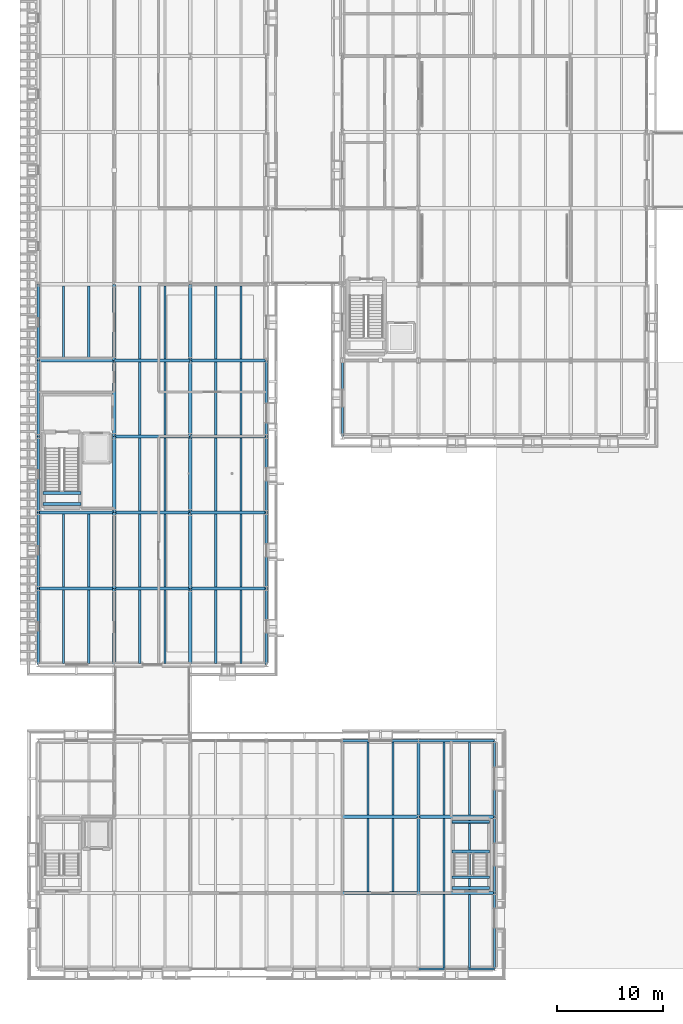
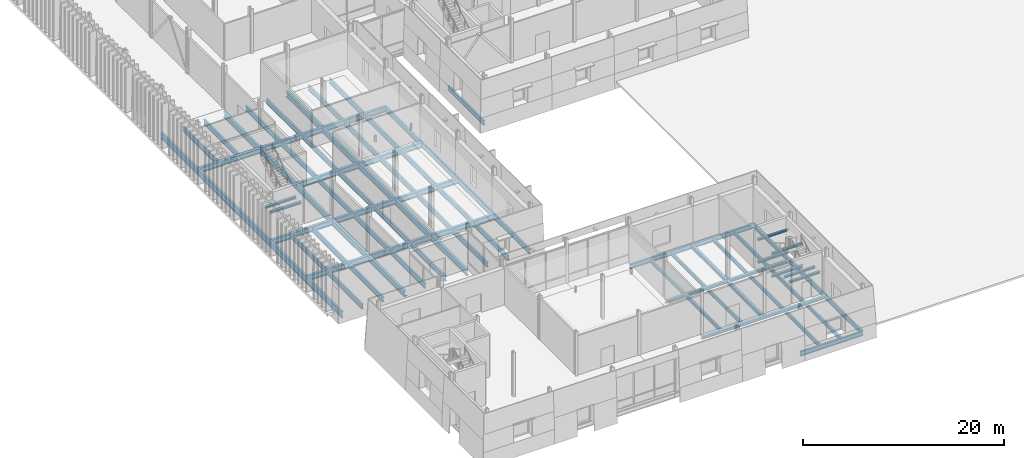
# One storey, part 23 of 120: 87 beams.
"""IFC4 building model written with IfcOpenShell, lengths in metres."""

from ifc_helpers import new_model, si_unit, direction, frame, origin, origin_2d, place, context, subcontext, project, spatial, i_section, extrude, material, material_profile, profile_set, type_object, element, save


model = new_model("IFC4")

# Units and contexts
model_context = context("Model", 3, precision=1e-05, world=origin(), true_north=direction((0.0, 1.0)))
body_context = subcontext(model_context, "Body", "Model", "MODEL_VIEW")
ifc_project = project(units=[si_unit("LENGTHUNIT", "METRE"), si_unit("AREAUNIT", "SQUARE_METRE"), si_unit("VOLUMEUNIT", "CUBIC_METRE"), si_unit("PLANEANGLEUNIT", "RADIAN"), si_unit("MASSUNIT", "GRAM", prefix="KILO")], contexts=[model_context])

# Site, building, storey
site_placement = place(None, origin())
site = spatial("IfcSite", under=ifc_project, at=site_placement, CompositionType="ELEMENT")
building_placement = place(site_placement, origin())
building = spatial("IfcBuilding", under=site, at=building_placement, Name="Narikvali Park Central Library", CompositionType="ELEMENT")
storey_placement = place(building_placement, origin())
storey = spatial("IfcBuildingStorey", under=building, at=storey_placement, Name="L00", CompositionType="ELEMENT", Elevation=0.0)

# Beams
ifc_material = material(Name="Steel S355", Category="steel")
ifc_material_profile_1 = material_profile(ifc_material, i_section(OverallWidth=0.219970703125, OverallDepth=0.60009765625, WebThickness=0.011962890625, FlangeThickness=0.01904296875, FilletRadius=0.02392578125, at=origin_2d()), Name="IPE 600")
ifc_profile_set_1 = profile_set([ifc_material_profile_1], Name="Steel S355")
beam_type_1 = type_object("IfcBeamType", Name="Compact Archive Joist IPE600", PredefinedType="JOIST", material=ifc_profile_set_1)
for number, where, z_axis, x_axis, name in (
    (1, (2.39990234375, 28.909912109375, -0.6201171875), (0.0, 1.0, 0.0), (-1.0, 0.0, 0.0), "V5 L00 Composite Joist 1"),
    (2, (4.800048828125, 28.909912109375, -0.6201171875), (0.0, 1.0, 0.0), (-1.0, 0.0, 0.0), "V5 L00 Composite Joist 2"),
):
    element("IfcBeam", number, at=place(storey_placement, frame(where, z_axis=z_axis, x_axis=x_axis)), inside=storey, type_object=beam_type_1, Name=name, PredefinedType="JOIST", context=body_context, shape_type="SweptSolid", body=[
        extrude(i_section(OverallWidth=0.219970703125, OverallDepth=0.60009765625, WebThickness=0.011962890625, FlangeThickness=0.01904296875, FilletRadius=0.02392578125, at=origin_2d()), origin(), (0.0, 0.0, 1.0), 6.940185546875),
    ])
for number, where, z_axis, x_axis, name in (
    (3, (2.39990234375, 36.14990234375, -0.6201171875), (0.0, 1.0, 0.0), (-1.0, 0.0, 0.0), "V5 L00 Composite Joist 1"),
    (4, (4.800048828125, 36.14990234375, -0.6201171875), (0.0, 1.0, 0.0), (-1.0, 0.0, 0.0), "V5 L00 Composite Joist 2"),
):
    element("IfcBeam", number, at=place(storey_placement, frame(where, z_axis=z_axis, x_axis=x_axis)), inside=storey, type_object=beam_type_1, Name=name, PredefinedType="JOIST", context=body_context, shape_type="SweptSolid", body=[
        extrude(i_section(OverallWidth=0.219970703125, OverallDepth=0.60009765625, WebThickness=0.011962890625, FlangeThickness=0.01904296875, FilletRadius=0.02392578125, at=origin_2d()), origin(), (0.0, 0.0, 1.0), 6.900146484375),
    ])
for number, where, z_axis, x_axis, name in (
    (5, (2.39990234375, 57.75, -0.6201171875), (0.0, 1.0, 0.0), (-1.0, 0.0, 0.0), "V5 L00 Composite Joist 1"),
    (6, (4.800048828125, 57.75, -0.6201171875), (0.0, 1.0, 0.0), (-1.0, 0.0, 0.0), "V5 L00 Composite Joist 2"),
):
    element("IfcBeam", number, at=place(storey_placement, frame(where, z_axis=z_axis, x_axis=x_axis)), inside=storey, type_object=beam_type_1, Name=name, PredefinedType="JOIST", context=body_context, shape_type="SweptSolid", body=[
        extrude(i_section(OverallWidth=0.219970703125, OverallDepth=0.60009765625, WebThickness=0.011962890625, FlangeThickness=0.01904296875, FilletRadius=0.02392578125, at=origin_2d()), origin(), (0.0, 0.0, 1.0), 6.89990234375),
    ])
for number, where, z_axis, x_axis, name in (
    (7, (9.60009765625, 28.909912109375, -0.6201171875), (0.0, 1.0, 0.0), (-1.0, 0.0, 0.0), "V5 L00 Composite Joist 1"),
    (8, (12.0, 28.909912109375, -0.6201171875), (0.0, 1.0, 0.0), (-1.0, 0.0, 0.0), "V5 L00 Composite Joist 2"),
):
    element("IfcBeam", number, at=place(storey_placement, frame(where, z_axis=z_axis, x_axis=x_axis)), inside=storey, type_object=beam_type_1, Name=name, PredefinedType="JOIST", context=body_context, shape_type="SweptSolid", body=[
        extrude(i_section(OverallWidth=0.219970703125, OverallDepth=0.60009765625, WebThickness=0.011962890625, FlangeThickness=0.01904296875, FilletRadius=0.02392578125, at=origin_2d()), origin(), (0.0, 0.0, 1.0), 6.940185546875),
    ])
for number, where, z_axis, x_axis, name in (
    (9, (9.60009765625, 36.14990234375, -0.6201171875), (0.0, 1.0, 0.0), (-1.0, 0.0, 0.0), "V5 L00 Composite Joist 1"),
    (10, (12.0, 36.14990234375, -0.6201171875), (0.0, 1.0, 0.0), (-1.0, 0.0, 0.0), "V5 L00 Composite Joist 2"),
):
    element("IfcBeam", number, at=place(storey_placement, frame(where, z_axis=z_axis, x_axis=x_axis)), inside=storey, type_object=beam_type_1, Name=name, PredefinedType="JOIST", context=body_context, shape_type="SweptSolid", body=[
        extrude(i_section(OverallWidth=0.219970703125, OverallDepth=0.60009765625, WebThickness=0.011962890625, FlangeThickness=0.01904296875, FilletRadius=0.02392578125, at=origin_2d()), origin(), (0.0, 0.0, 1.0), 6.900146484375),
    ])
for number, where, z_axis, x_axis, name in (
    (11, (9.60009765625, 43.35009765625, -0.6201171875), (0.0, 1.0, 0.0), (-1.0, 0.0, 0.0), "V5 L00 Composite Joist 1"),
    (12, (12.0, 43.35009765625, -0.6201171875), (0.0, 1.0, 0.0), (-1.0, 0.0, 0.0), "V5 L00 Composite Joist 2"),
    (13, (9.60009765625, 50.550048828125, -0.6201171875), (0.0, 1.0, 0.0), (-1.0, 0.0, 0.0), "V5 L00 Composite Joist 1"),
    (14, (12.0, 50.550048828125, -0.6201171875), (0.0, 1.0, 0.0), (-1.0, 0.0, 0.0), "V5 L00 Composite Joist 2"),
    (15, (9.60009765625, 57.75, -0.6201171875), (0.0, 1.0, 0.0), (-1.0, 0.0, 0.0), "V5 L00 Composite Joist 1"),
    (16, (12.0, 57.75, -0.6201171875), (0.0, 1.0, 0.0), (-1.0, 0.0, 0.0), "V5 L00 Composite Joist 2"),
):
    element("IfcBeam", number, at=place(storey_placement, frame(where, z_axis=z_axis, x_axis=x_axis)), inside=storey, type_object=beam_type_1, Name=name, PredefinedType="JOIST", context=body_context, shape_type="SweptSolid", body=[
        extrude(i_section(OverallWidth=0.219970703125, OverallDepth=0.60009765625, WebThickness=0.011962890625, FlangeThickness=0.01904296875, FilletRadius=0.02392578125, at=origin_2d()), origin(), (0.0, 0.0, 1.0), 6.89990234375),
    ])
for number, where, z_axis, x_axis, name in (
    (17, (16.800048828125, 28.909912109375, -0.6201171875), (0.0, 1.0, 0.0), (-1.0, 0.0, 0.0), "V5 L00 Composite Joist 1"),
    (18, (19.199951171875, 28.909912109375, -0.6201171875), (0.0, 1.0, 0.0), (-1.0, 0.0, 0.0), "V5 L00 Composite Joist 2"),
):
    element("IfcBeam", number, at=place(storey_placement, frame(where, z_axis=z_axis, x_axis=x_axis)), inside=storey, type_object=beam_type_1, Name=name, PredefinedType="JOIST", context=body_context, shape_type="SweptSolid", body=[
        extrude(i_section(OverallWidth=0.219970703125, OverallDepth=0.60009765625, WebThickness=0.011962890625, FlangeThickness=0.01904296875, FilletRadius=0.02392578125, at=origin_2d()), origin(), (0.0, 0.0, 1.0), 6.940185546875),
    ])
for number, where, z_axis, x_axis, name in (
    (19, (16.800048828125, 36.14990234375, -0.6201171875), (0.0, 1.0, 0.0), (-1.0, 0.0, 0.0), "V5 L00 Composite Joist 1"),
    (20, (19.199951171875, 36.14990234375, -0.6201171875), (0.0, 1.0, 0.0), (-1.0, 0.0, 0.0), "V5 L00 Composite Joist 2"),
):
    element("IfcBeam", number, at=place(storey_placement, frame(where, z_axis=z_axis, x_axis=x_axis)), inside=storey, type_object=beam_type_1, Name=name, PredefinedType="JOIST", context=body_context, shape_type="SweptSolid", body=[
        extrude(i_section(OverallWidth=0.219970703125, OverallDepth=0.60009765625, WebThickness=0.011962890625, FlangeThickness=0.01904296875, FilletRadius=0.02392578125, at=origin_2d()), origin(), (0.0, 0.0, 1.0), 6.900146484375),
    ])
for number, where, z_axis, x_axis, name in (
    (21, (16.800048828125, 43.35009765625, -0.6201171875), (0.0, 1.0, 0.0), (-1.0, 0.0, 0.0), "V5 L00 Composite Joist 1"),
    (22, (19.199951171875, 43.35009765625, -0.6201171875), (0.0, 1.0, 0.0), (-1.0, 0.0, 0.0), "V5 L00 Composite Joist 2"),
    (23, (16.800048828125, 50.550048828125, -0.6201171875), (0.0, 1.0, 0.0), (-1.0, 0.0, 0.0), "V5 L00 Composite Joist 1"),
    (24, (19.199951171875, 50.550048828125, -0.6201171875), (0.0, 1.0, 0.0), (-1.0, 0.0, 0.0), "V5 L00 Composite Joist 2"),
    (25, (16.800048828125, 57.75, -0.6201171875), (0.0, 1.0, 0.0), (-1.0, 0.0, 0.0), "V5 L00 Composite Joist 1"),
    (26, (19.199951171875, 57.75, -0.6201171875), (0.0, 1.0, 0.0), (-1.0, 0.0, 0.0), "V5 L00 Composite Joist 2"),
):
    element("IfcBeam", number, at=place(storey_placement, frame(where, z_axis=z_axis, x_axis=x_axis)), inside=storey, type_object=beam_type_1, Name=name, PredefinedType="JOIST", context=body_context, shape_type="SweptSolid", body=[
        extrude(i_section(OverallWidth=0.219970703125, OverallDepth=0.60009765625, WebThickness=0.011962890625, FlangeThickness=0.01904296875, FilletRadius=0.02392578125, at=origin_2d()), origin(), (0.0, 0.0, 1.0), 6.89990234375),
    ])
ifc_material_profile_2 = material_profile(ifc_material, i_section(OverallWidth=0.300048828125, OverallDepth=0.68994140625, WebThickness=0.014404296875, FlangeThickness=0.027099609375, FilletRadius=0.027099609375, at=origin_2d()), Name="HEA 700")
ifc_profile_set_2 = profile_set([ifc_material_profile_2], Name="Steel S355")
beam_type_2 = type_object("IfcBeamType", Name="Compact Vault Girder HEA700", PredefinedType="BEAM", material=ifc_profile_set_2)
for number, where, z_axis, x_axis, name in (
    (27, (7.199951171875, 28.80810546875, -0.6650390625), (0.0, 1.0, 0.0), (-1.0, 0.0, 0.0), "V5 L00 Girder Y"),
    (28, (7.199951171875, 36.008056640625, -0.6650390625), (0.0, 1.0, 0.0), (-1.0, 0.0, 0.0), "V5 L00 Girder Y"),
):
    element("IfcBeam", number, at=place(storey_placement, frame(where, z_axis=z_axis, x_axis=x_axis)), inside=storey, type_object=beam_type_2, Name=name, PredefinedType="BEAM", context=body_context, shape_type="SweptSolid", body=[
        extrude(i_section(OverallWidth=0.300048828125, OverallDepth=0.68994140625, WebThickness=0.014404296875, FlangeThickness=0.027099609375, FilletRadius=0.027099609375, at=origin_2d()), origin(), (0.0, 0.0, 1.0), 7.183837890625),
    ])
for number, where, z_axis, x_axis, name in (
    (29, (7.199951171875, 43.2080078125, -0.6650390625), (0.0, 1.0, 0.0), (-1.0, 0.0, 0.0), "V5 L00 Girder Y"),
    (30, (7.199951171875, 50.407958984375, -0.6650390625), (0.0, 1.0, 0.0), (-1.0, 0.0, 0.0), "V5 L00 Girder Y"),
    (31, (7.199951171875, 57.60791015625, -0.6650390625), (0.0, 1.0, 0.0), (-1.0, 0.0, 0.0), "V5 L00 Girder Y"),
):
    element("IfcBeam", number, at=place(storey_placement, frame(where, z_axis=z_axis, x_axis=x_axis)), inside=storey, type_object=beam_type_2, Name=name, PredefinedType="BEAM", context=body_context, shape_type="SweptSolid", body=[
        extrude(i_section(OverallWidth=0.300048828125, OverallDepth=0.68994140625, WebThickness=0.014404296875, FlangeThickness=0.027099609375, FilletRadius=0.027099609375, at=origin_2d()), origin(), (0.0, 0.0, 1.0), 7.18408203125),
    ])
for number, where, z_axis, x_axis, name in (
    (32, (14.39990234375, 28.80810546875, -0.6650390625), (0.0, 1.0, 0.0), (-1.0, 0.0, 0.0), "V5 L00 Girder Y"),
    (33, (14.39990234375, 36.008056640625, -0.6650390625), (0.0, 1.0, 0.0), (-1.0, 0.0, 0.0), "V5 L00 Girder Y"),
):
    element("IfcBeam", number, at=place(storey_placement, frame(where, z_axis=z_axis, x_axis=x_axis)), inside=storey, type_object=beam_type_2, Name=name, PredefinedType="BEAM", context=body_context, shape_type="SweptSolid", body=[
        extrude(i_section(OverallWidth=0.300048828125, OverallDepth=0.68994140625, WebThickness=0.014404296875, FlangeThickness=0.027099609375, FilletRadius=0.027099609375, at=origin_2d()), origin(), (0.0, 0.0, 1.0), 7.183837890625),
    ])
for number, where, z_axis, x_axis, name in (
    (34, (14.39990234375, 43.2080078125, -0.6650390625), (0.0, 1.0, 0.0), (-1.0, 0.0, 0.0), "V5 L00 Girder Y"),
    (35, (14.39990234375, 50.407958984375, -0.6650390625), (0.0, 1.0, 0.0), (-1.0, 0.0, 0.0), "V5 L00 Girder Y"),
    (36, (14.39990234375, 57.60791015625, -0.6650390625), (0.0, 1.0, 0.0), (-1.0, 0.0, 0.0), "V5 L00 Girder Y"),
):
    element("IfcBeam", number, at=place(storey_placement, frame(where, z_axis=z_axis, x_axis=x_axis)), inside=storey, type_object=beam_type_2, Name=name, PredefinedType="BEAM", context=body_context, shape_type="SweptSolid", body=[
        extrude(i_section(OverallWidth=0.300048828125, OverallDepth=0.68994140625, WebThickness=0.014404296875, FlangeThickness=0.027099609375, FilletRadius=0.027099609375, at=origin_2d()), origin(), (0.0, 0.0, 1.0), 7.18408203125),
    ])
ifc_material_profile_3 = material_profile(ifc_material, i_section(OverallWidth=0.18994140625, OverallDepth=0.449951171875, WebThickness=0.009521484375, FlangeThickness=0.0146484375, FilletRadius=0.02099609375, at=origin_2d()), Name="IPE 450")
ifc_profile_set_3 = profile_set([ifc_material_profile_3], Name="Steel S355")
beam_type_3 = type_object("IfcBeamType", Name="Composite Floor Joist IPE450", PredefinedType="JOIST", material=ifc_profile_set_3)
for number, where, z_axis, x_axis, name in (
    (37, (31.199951171875, 7.35009765625, -0.544921875), (0.0, 1.0, 0.0), (-1.0, 0.0, 0.0), "V2 L00 Composite Joist 1"),
    (38, (33.60009765625, 7.35009765625, -0.544921875), (0.0, 1.0, 0.0), (-1.0, 0.0, 0.0), "V2 L00 Composite Joist 2"),
):
    element("IfcBeam", number, at=place(storey_placement, frame(where, z_axis=z_axis, x_axis=x_axis)), inside=storey, type_object=beam_type_3, Name=name, PredefinedType="JOIST", context=body_context, shape_type="SweptSolid", body=[
        extrude(i_section(OverallWidth=0.18994140625, OverallDepth=0.449951171875, WebThickness=0.009521484375, FlangeThickness=0.0146484375, FilletRadius=0.02099609375, at=origin_2d()), origin(), (0.0, 0.0, 1.0), 6.89990234375),
    ])
for number, where, z_axis, x_axis, name in (
    (39, (31.199951171875, 14.550048828125, -0.544921875), (0.0, 1.0, 0.0), (-1.0, 0.0, 0.0), "V2 L00 Composite Joist 1"),
    (40, (33.60009765625, 14.550048828125, -0.544921875), (0.0, 1.0, 0.0), (-1.0, 0.0, 0.0), "V2 L00 Composite Joist 2"),
    (41, (38.39990234375, 0.10498046875, -0.544921875), (0.0, 1.0, 0.0), (-1.0, 0.0, 0.0), "V2 L00 Composite Joist 1"),
    (42, (40.800048828125, 0.10498046875, -0.544921875), (0.0, 1.0, 0.0), (-1.0, 0.0, 0.0), "V2 L00 Composite Joist 2"),
):
    element("IfcBeam", number, at=place(storey_placement, frame(where, z_axis=z_axis, x_axis=x_axis)), inside=storey, type_object=beam_type_3, Name=name, PredefinedType="JOIST", context=body_context, shape_type="SweptSolid", body=[
        extrude(i_section(OverallWidth=0.18994140625, OverallDepth=0.449951171875, WebThickness=0.009521484375, FlangeThickness=0.0146484375, FilletRadius=0.02099609375, at=origin_2d()), origin(), (0.0, 0.0, 1.0), 6.945068359375),
    ])
for number, where, z_axis, x_axis, name in (
    (43, (38.39990234375, 7.35009765625, -0.544921875), (0.0, 1.0, 0.0), (-1.0, 0.0, 0.0), "V2 L00 Composite Joist 1"),
    (44, (40.800048828125, 7.35009765625, -0.544921875), (0.0, 1.0, 0.0), (-1.0, 0.0, 0.0), "V2 L00 Composite Joist 2"),
):
    element("IfcBeam", number, at=place(storey_placement, frame(where, z_axis=z_axis, x_axis=x_axis)), inside=storey, type_object=beam_type_3, Name=name, PredefinedType="JOIST", context=body_context, shape_type="SweptSolid", body=[
        extrude(i_section(OverallWidth=0.18994140625, OverallDepth=0.449951171875, WebThickness=0.009521484375, FlangeThickness=0.0146484375, FilletRadius=0.02099609375, at=origin_2d()), origin(), (0.0, 0.0, 1.0), 6.89990234375),
    ])
for number, where, z_axis, x_axis, name in (
    (45, (38.39990234375, 14.550048828125, -0.544921875), (0.0, 1.0, 0.0), (-1.0, 0.0, 0.0), "V2 L00 Composite Joist 1"),
    (46, (40.800048828125, 14.550048828125, -0.544921875), (0.0, 1.0, 0.0), (-1.0, 0.0, 0.0), "V2 L00 Composite Joist 2"),
):
    element("IfcBeam", number, at=place(storey_placement, frame(where, z_axis=z_axis, x_axis=x_axis)), inside=storey, type_object=beam_type_3, Name=name, PredefinedType="JOIST", context=body_context, shape_type="SweptSolid", body=[
        extrude(i_section(OverallWidth=0.18994140625, OverallDepth=0.449951171875, WebThickness=0.009521484375, FlangeThickness=0.0146484375, FilletRadius=0.02099609375, at=origin_2d()), origin(), (0.0, 0.0, 1.0), 6.945068359375),
    ])
ifc_material_profile_4 = material_profile(ifc_material, i_section(OverallWidth=0.239990234375, OverallDepth=0.239990234375, WebThickness=0.010009765625, FlangeThickness=0.01708984375, FilletRadius=0.02099609375, at=origin_2d()), Name="HEB 240")
ifc_profile_set_4 = profile_set([ifc_material_profile_4], Name="Steel S355")
beam_type_4 = type_object("IfcBeamType", Name="Core Trimmer Girder HEB240", PredefinedType="BEAM", material=ifc_profile_set_4)
for number, where, z_axis, x_axis, name in (
    (47, (39.169921875, 11.114990234375, 3.72998046875), (1.0, 0.0, 0.0), (0.0, 1.0, 0.0), "ST-04 L00 Landing Trimmer Beam 3-1"),
    (48, (39.169921875, 13.929931640625, 3.72998046875), (1.0, 0.0, 0.0), (0.0, 1.0, 0.0), "ST-04 L00 Landing Trimmer Beam 3-2"),
):
    element("IfcBeam", number, at=place(storey_placement, frame(where, z_axis=z_axis, x_axis=x_axis)), inside=storey, type_object=beam_type_4, Name=name, PredefinedType="BEAM", context=body_context, shape_type="SweptSolid", body=[
        extrude(i_section(OverallWidth=0.239990234375, OverallDepth=0.239990234375, WebThickness=0.010009765625, FlangeThickness=0.01708984375, FilletRadius=0.02099609375, at=origin_2d()), origin(), (0.0, 0.0, 1.0), 3.56005859375),
    ])
ifc_material_profile_5 = material_profile(ifc_material, i_section(OverallWidth=0.260009765625, OverallDepth=0.260009765625, WebThickness=0.010009765625, FlangeThickness=0.017578125, FilletRadius=0.02392578125, at=origin_2d()), Name="HEB 260")
ifc_profile_set_5 = profile_set([ifc_material_profile_5], Name="Steel S355")
beam_type_5 = type_object("IfcBeamType", Name="Core Trimmer Girder HEB260", PredefinedType="BEAM", material=ifc_profile_set_5)
for number, where, z_axis, x_axis, name in (
    (49, (39.169921875, 7.669921875, 2.3701171875), (1.0, 0.0, 0.0), (0.0, 1.0, 0.0), "ST-04 L00 Landing Trimmer Beam 2-1"),
    (50, (39.169921875, 8.679931640625, 2.3701171875), (1.0, 0.0, 0.0), (0.0, 1.0, 0.0), "ST-04 L00 Landing Trimmer Beam 2-2"),
):
    element("IfcBeam", number, at=place(storey_placement, frame(where, z_axis=z_axis, x_axis=x_axis)), inside=storey, type_object=beam_type_5, Name=name, PredefinedType="BEAM", context=body_context, shape_type="SweptSolid", body=[
        extrude(i_section(OverallWidth=0.260009765625, OverallDepth=0.260009765625, WebThickness=0.010009765625, FlangeThickness=0.017578125, FilletRadius=0.02392578125, at=origin_2d()), origin(), (0.0, 0.0, 1.0), 3.56005859375),
    ])
ifc_material_profile_6 = material_profile(ifc_material, i_section(OverallWidth=0.280029296875, OverallDepth=0.280029296875, WebThickness=0.010498046875, FlangeThickness=0.01806640625, FilletRadius=0.02392578125, at=origin_2d()), Name="HEB 280")
ifc_profile_set_6 = profile_set([ifc_material_profile_6], Name="Steel S355")
beam_type_6 = type_object("IfcBeamType", Name="Core Trimmer Girder HEB280", PredefinedType="BEAM", material=ifc_profile_set_6)
for number, where, z_axis, x_axis, name in (
    (51, (39.169921875, 11.114990234375, 1.010009765625), (1.0, 0.0, 0.0), (0.0, 1.0, 0.0), "ST-04 L00 Landing Trimmer Beam 1-1"),
    (52, (39.169921875, 13.929931640625, 1.010009765625), (1.0, 0.0, 0.0), (0.0, 1.0, 0.0), "ST-04 L00 Landing Trimmer Beam 1-2"),
    (53, (0.469970703125, 44.02001953125, 2.360107421875), (1.0, 0.0, 0.0), (0.0, 1.0, 0.0), "ST-09 L00 Landing Trimmer Beam 1-1"),
    (54, (0.469970703125, 45.0400390625, 2.360107421875), (1.0, 0.0, 0.0), (0.0, 1.0, 0.0), "ST-09 L00 Landing Trimmer Beam 1-2"),
):
    element("IfcBeam", number, at=place(storey_placement, frame(where, z_axis=z_axis, x_axis=x_axis)), inside=storey, type_object=beam_type_6, Name=name, PredefinedType="BEAM", context=body_context, shape_type="SweptSolid", body=[
        extrude(i_section(OverallWidth=0.280029296875, OverallDepth=0.280029296875, WebThickness=0.010498046875, FlangeThickness=0.01806640625, FilletRadius=0.02392578125, at=origin_2d()), origin(), (0.0, 0.0, 1.0), 3.56005859375),
    ])
ifc_material_profile_7 = material_profile(ifc_material, i_section(OverallWidth=0.300048828125, OverallDepth=0.64990234375, WebThickness=0.01611328125, FlangeThickness=0.031005859375, FilletRadius=0.027099609375, at=origin_2d()), Name="HEB 650")
ifc_profile_set_7 = profile_set([ifc_material_profile_7], Name="Steel S355")
beam_type_7 = type_object("IfcBeamType", Name="Dome Tension Ring Beam HEB650", PredefinedType="BEAM", material=ifc_profile_set_7)
beam_1_placement = place(storey_placement, frame((0.008056640625, 36.0, -0.64501953125), z_axis=(1.0, 0.0, 0.0), x_axis=(0.0, 1.0, 0.0)))
element("IfcBeam", 55, at=beam_1_placement, inside=storey, type_object=beam_type_7, Name="V5 L00 Girder X", PredefinedType="BEAM", context=body_context, shape_type="SweptSolid", body=[
    extrude(i_section(OverallWidth=0.300048828125, OverallDepth=0.64990234375, WebThickness=0.01611328125, FlangeThickness=0.031005859375, FilletRadius=0.027099609375, at=origin_2d()), origin(), (0.0, 0.0, 1.0), 7.183837890625),
])
for number, where, z_axis, x_axis, name in (
    (56, (7.2080078125, 36.0, -0.64501953125), (1.0, 0.0, 0.0), (0.0, 1.0, 0.0), "V5 L00 Girder X"),
    (57, (14.407958984375, 36.0, -0.64501953125), (1.0, 0.0, 0.0), (0.0, 1.0, 0.0), "V5 L00 Girder X"),
):
    element("IfcBeam", number, at=place(storey_placement, frame(where, z_axis=z_axis, x_axis=x_axis)), inside=storey, type_object=beam_type_7, Name=name, PredefinedType="BEAM", context=body_context, shape_type="SweptSolid", body=[
        extrude(i_section(OverallWidth=0.300048828125, OverallDepth=0.64990234375, WebThickness=0.01611328125, FlangeThickness=0.031005859375, FilletRadius=0.027099609375, at=origin_2d()), origin(), (0.0, 0.0, 1.0), 7.18408203125),
    ])
beam_2_placement = place(storey_placement, frame((0.008056640625, 43.199951171875, -0.64501953125), z_axis=(1.0, 0.0, 0.0), x_axis=(0.0, 1.0, 0.0)))
element("IfcBeam", 58, at=beam_2_placement, inside=storey, type_object=beam_type_7, Name="V5 L00 Girder X", PredefinedType="BEAM", context=body_context, shape_type="SweptSolid", body=[
    extrude(i_section(OverallWidth=0.300048828125, OverallDepth=0.64990234375, WebThickness=0.01611328125, FlangeThickness=0.031005859375, FilletRadius=0.027099609375, at=origin_2d()), origin(), (0.0, 0.0, 1.0), 7.183837890625),
])
for number, where, z_axis, x_axis, name in (
    (59, (7.2080078125, 43.199951171875, -0.64501953125), (1.0, 0.0, 0.0), (0.0, 1.0, 0.0), "V5 L00 Girder X"),
    (60, (14.407958984375, 43.199951171875, -0.64501953125), (1.0, 0.0, 0.0), (0.0, 1.0, 0.0), "V5 L00 Girder X"),
    (61, (7.2080078125, 50.39990234375, -0.64501953125), (1.0, 0.0, 0.0), (0.0, 1.0, 0.0), "V5 L00 Girder X"),
    (62, (14.407958984375, 50.39990234375, -0.64501953125), (1.0, 0.0, 0.0), (0.0, 1.0, 0.0), "V5 L00 Girder X"),
):
    element("IfcBeam", number, at=place(storey_placement, frame(where, z_axis=z_axis, x_axis=x_axis)), inside=storey, type_object=beam_type_7, Name=name, PredefinedType="BEAM", context=body_context, shape_type="SweptSolid", body=[
        extrude(i_section(OverallWidth=0.300048828125, OverallDepth=0.64990234375, WebThickness=0.01611328125, FlangeThickness=0.031005859375, FilletRadius=0.027099609375, at=origin_2d()), origin(), (0.0, 0.0, 1.0), 7.18408203125),
    ])
beam_3_placement = place(storey_placement, frame((0.008056640625, 57.60009765625, -0.64501953125), z_axis=(1.0, 0.0, 0.0), x_axis=(0.0, 1.0, 0.0)))
element("IfcBeam", 63, at=beam_3_placement, inside=storey, type_object=beam_type_7, Name="V5 L00 Girder X", PredefinedType="BEAM", context=body_context, shape_type="SweptSolid", body=[
    extrude(i_section(OverallWidth=0.300048828125, OverallDepth=0.64990234375, WebThickness=0.01611328125, FlangeThickness=0.031005859375, FilletRadius=0.027099609375, at=origin_2d()), origin(), (0.0, 0.0, 1.0), 7.183837890625),
])
for number, where, z_axis, x_axis, name in (
    (64, (7.2080078125, 57.60009765625, -0.64501953125), (1.0, 0.0, 0.0), (0.0, 1.0, 0.0), "V5 L00 Girder X"),
    (65, (14.407958984375, 57.60009765625, -0.64501953125), (1.0, 0.0, 0.0), (0.0, 1.0, 0.0), "V5 L00 Girder X"),
):
    element("IfcBeam", number, at=place(storey_placement, frame(where, z_axis=z_axis, x_axis=x_axis)), inside=storey, type_object=beam_type_7, Name=name, PredefinedType="BEAM", context=body_context, shape_type="SweptSolid", body=[
        extrude(i_section(OverallWidth=0.300048828125, OverallDepth=0.64990234375, WebThickness=0.01611328125, FlangeThickness=0.031005859375, FilletRadius=0.027099609375, at=origin_2d()), origin(), (0.0, 0.0, 1.0), 7.18408203125),
    ])
ifc_material_profile_8 = material_profile(ifc_material, i_section(OverallWidth=0.264892578125, OverallDepth=0.7529296875, WebThickness=0.01318359375, FlangeThickness=0.01708984375, FilletRadius=0.01708984375, at=origin_2d()), Name="IPE 750x147")
ifc_profile_set_8 = profile_set([ifc_material_profile_8], Name="Steel S355")
beam_type_8 = type_object("IfcBeamType", Name="Fin Facade Spandrel IPE750", PredefinedType="SPANDREL", material=ifc_profile_set_8)
for number, where, z_axis, x_axis, name in (
    (66, (0.0, 28.80810546875, -0.696533203125), (0.0, 1.0, 0.0), (-1.0, 0.0, 0.0), "V5 L00 Girder Y"),
    (67, (0.0, 36.008056640625, -0.696533203125), (0.0, 1.0, 0.0), (-1.0, 0.0, 0.0), "V5 L00 Girder Y"),
):
    element("IfcBeam", number, at=place(storey_placement, frame(where, z_axis=z_axis, x_axis=x_axis)), inside=storey, type_object=beam_type_8, Name=name, PredefinedType="SPANDREL", context=body_context, shape_type="SweptSolid", body=[
        extrude(i_section(OverallWidth=0.264892578125, OverallDepth=0.7529296875, WebThickness=0.01318359375, FlangeThickness=0.01708984375, FilletRadius=0.01708984375, at=origin_2d()), origin(), (0.0, 0.0, 1.0), 7.183837890625),
    ])
for number, where, z_axis, x_axis, name in (
    (68, (0.0, 43.2080078125, -0.696533203125), (0.0, 1.0, 0.0), (-1.0, 0.0, 0.0), "V5 L00 Girder Y"),
    (69, (0.0, 50.407958984375, -0.696533203125), (0.0, 1.0, 0.0), (-1.0, 0.0, 0.0), "V5 L00 Girder Y"),
    (70, (0.0, 57.60791015625, -0.696533203125), (0.0, 1.0, 0.0), (-1.0, 0.0, 0.0), "V5 L00 Girder Y"),
):
    element("IfcBeam", number, at=place(storey_placement, frame(where, z_axis=z_axis, x_axis=x_axis)), inside=storey, type_object=beam_type_8, Name=name, PredefinedType="SPANDREL", context=body_context, shape_type="SweptSolid", body=[
        extrude(i_section(OverallWidth=0.264892578125, OverallDepth=0.7529296875, WebThickness=0.01318359375, FlangeThickness=0.01708984375, FilletRadius=0.01708984375, at=origin_2d()), origin(), (0.0, 0.0, 1.0), 7.18408203125),
    ])
ifc_material_profile_9 = material_profile(ifc_material, i_section(OverallWidth=0.300048828125, OverallDepth=0.340087890625, WebThickness=0.011962890625, FlangeThickness=0.021484375, FilletRadius=0.027099609375, at=origin_2d()), Name="HEB 340")
ifc_profile_set_9 = profile_set([ifc_material_profile_9], Name="Steel S355")
beam_type_9 = type_object("IfcBeamType", Name="Pavilion Interior Girder HEB340", PredefinedType="BEAM", material=ifc_profile_set_9)
for number, where, z_axis, x_axis, name in (
    (71, (28.80810546875, 7.199951171875, -0.489990234375), (1.0, 0.0, 0.0), (0.0, 1.0, 0.0), "V2 L00 Girder X"),
    (72, (36.008056640625, 7.199951171875, -0.489990234375), (1.0, 0.0, 0.0), (0.0, 1.0, 0.0), "V2 L00 Girder X"),
):
    element("IfcBeam", number, at=place(storey_placement, frame(where, z_axis=z_axis, x_axis=x_axis)), inside=storey, type_object=beam_type_9, Name=name, PredefinedType="BEAM", context=body_context, shape_type="SweptSolid", body=[
        extrude(i_section(OverallWidth=0.300048828125, OverallDepth=0.340087890625, WebThickness=0.011962890625, FlangeThickness=0.021484375, FilletRadius=0.027099609375, at=origin_2d()), origin(), (0.0, 0.0, 1.0), 7.183837890625),
    ])
ifc_material_profile_10 = material_profile(ifc_material, i_section(OverallWidth=0.2099609375, OverallDepth=0.550048828125, WebThickness=0.010986328125, FlangeThickness=0.01708984375, FilletRadius=0.02392578125, at=origin_2d()), Name="IPE 550")
ifc_profile_set_10 = profile_set([ifc_material_profile_10], Name="Steel S355")
beam_type_10 = type_object("IfcBeamType", Name="Perimeter Spandrel IPE550", PredefinedType="SPANDREL", material=ifc_profile_set_10)
for number, where, z_axis, x_axis, name in (
    (73, (36.008056640625, 0.0, -0.594970703125), (1.0, 0.0, 0.0), (0.0, 1.0, 0.0), "V2 L00 Girder X"),
    (74, (28.80810546875, 21.60009765625, -0.594970703125), (1.0, 0.0, 0.0), (0.0, 1.0, 0.0), "V2 L00 Girder X"),
    (75, (36.008056640625, 21.60009765625, -0.594970703125), (1.0, 0.0, 0.0), (0.0, 1.0, 0.0), "V2 L00 Girder X"),
    (76, (43.199951171875, 0.008056640625, -0.594970703125), (0.0, 1.0, 0.0), (-1.0, 0.0, 0.0), "V2 L00 Girder Y"),
):
    element("IfcBeam", number, at=place(storey_placement, frame(where, z_axis=z_axis, x_axis=x_axis)), inside=storey, type_object=beam_type_10, Name=name, PredefinedType="SPANDREL", context=body_context, shape_type="SweptSolid", body=[
        extrude(i_section(OverallWidth=0.2099609375, OverallDepth=0.550048828125, WebThickness=0.010986328125, FlangeThickness=0.01708984375, FilletRadius=0.02392578125, at=origin_2d()), origin(), (0.0, 0.0, 1.0), 7.183837890625),
    ])
for number, where, z_axis, x_axis, name in (
    (77, (43.199951171875, 7.2080078125, -0.594970703125), (0.0, 1.0, 0.0), (-1.0, 0.0, 0.0), "V2 L00 Girder Y"),
    (78, (43.199951171875, 14.407958984375, -0.594970703125), (0.0, 1.0, 0.0), (-1.0, 0.0, 0.0), "V2 L00 Girder Y"),
    (79, (28.800048828125, 50.407958984375, -0.594970703125), (0.0, 1.0, 0.0), (-1.0, 0.0, 0.0), "V4 L00 Girder Y"),
):
    element("IfcBeam", number, at=place(storey_placement, frame(where, z_axis=z_axis, x_axis=x_axis)), inside=storey, type_object=beam_type_10, Name=name, PredefinedType="SPANDREL", context=body_context, shape_type="SweptSolid", body=[
        extrude(i_section(OverallWidth=0.2099609375, OverallDepth=0.550048828125, WebThickness=0.010986328125, FlangeThickness=0.01708984375, FilletRadius=0.02392578125, at=origin_2d()), origin(), (0.0, 0.0, 1.0), 7.18408203125),
    ])
ifc_material_profile_11 = material_profile(ifc_material, i_section(OverallWidth=0.219970703125, OverallDepth=0.60009765625, WebThickness=0.011962890625, FlangeThickness=0.01904296875, FilletRadius=0.02392578125, at=origin_2d()), Name="IPE 600")
ifc_profile_set_11 = profile_set([ifc_material_profile_11], Name="Steel S355")
beam_type_11 = type_object("IfcBeamType", Name="Perimeter Spandrel IPE600", PredefinedType="SPANDREL", material=ifc_profile_set_11)
for number, where, z_axis, x_axis, name in (
    (80, (21.60009765625, 28.80810546875, -0.6201171875), (0.0, 1.0, 0.0), (-1.0, 0.0, 0.0), "V5 L00 Girder Y"),
    (81, (21.60009765625, 36.008056640625, -0.6201171875), (0.0, 1.0, 0.0), (-1.0, 0.0, 0.0), "V5 L00 Girder Y"),
):
    element("IfcBeam", number, at=place(storey_placement, frame(where, z_axis=z_axis, x_axis=x_axis)), inside=storey, type_object=beam_type_11, Name=name, PredefinedType="SPANDREL", context=body_context, shape_type="SweptSolid", body=[
        extrude(i_section(OverallWidth=0.219970703125, OverallDepth=0.60009765625, WebThickness=0.011962890625, FlangeThickness=0.01904296875, FilletRadius=0.02392578125, at=origin_2d()), origin(), (0.0, 0.0, 1.0), 7.183837890625),
    ])
for number, where, z_axis, x_axis, name in (
    (82, (21.60009765625, 43.2080078125, -0.6201171875), (0.0, 1.0, 0.0), (-1.0, 0.0, 0.0), "V5 L00 Girder Y"),
    (83, (21.60009765625, 50.407958984375, -0.6201171875), (0.0, 1.0, 0.0), (-1.0, 0.0, 0.0), "V5 L00 Girder Y"),
):
    element("IfcBeam", number, at=place(storey_placement, frame(where, z_axis=z_axis, x_axis=x_axis)), inside=storey, type_object=beam_type_11, Name=name, PredefinedType="SPANDREL", context=body_context, shape_type="SweptSolid", body=[
        extrude(i_section(OverallWidth=0.219970703125, OverallDepth=0.60009765625, WebThickness=0.011962890625, FlangeThickness=0.01904296875, FilletRadius=0.02392578125, at=origin_2d()), origin(), (0.0, 0.0, 1.0), 7.18408203125),
    ])
ifc_material_profile_12 = material_profile(ifc_material, i_section(OverallWidth=0.300048828125, OverallDepth=0.330078125, WebThickness=0.009521484375, FlangeThickness=0.0166015625, FilletRadius=0.027099609375, at=origin_2d()), Name="HEA 340")
ifc_profile_set_12 = profile_set([ifc_material_profile_12], Name="Steel S355")
beam_type_12 = type_object("IfcBeamType", Name="Primary Girder HEA340", PredefinedType="BEAM", material=ifc_profile_set_12)
for number, where, z_axis, x_axis, name in (
    (84, (28.80810546875, 14.39990234375, -0.485107421875), (1.0, 0.0, 0.0), (0.0, 1.0, 0.0), "V2 L00 Girder X"),
    (85, (36.008056640625, 14.39990234375, -0.485107421875), (1.0, 0.0, 0.0), (0.0, 1.0, 0.0), "V2 L00 Girder X"),
):
    element("IfcBeam", number, at=place(storey_placement, frame(where, z_axis=z_axis, x_axis=x_axis)), inside=storey, type_object=beam_type_12, Name=name, PredefinedType="BEAM", context=body_context, shape_type="SweptSolid", body=[
        extrude(i_section(OverallWidth=0.300048828125, OverallDepth=0.330078125, WebThickness=0.009521484375, FlangeThickness=0.0166015625, FilletRadius=0.027099609375, at=origin_2d()), origin(), (0.0, 0.0, 1.0), 7.183837890625),
    ])
ifc_material_profile_13 = material_profile(ifc_material, i_section(OverallWidth=0.300048828125, OverallDepth=0.43994140625, WebThickness=0.011474609375, FlangeThickness=0.02099609375, FilletRadius=0.027099609375, at=origin_2d()), Name="HEA 450")
ifc_profile_set_13 = profile_set([ifc_material_profile_13], Name="Steel S355")
beam_type_13 = type_object("IfcBeamType", Name="Primary Girder HEA450", PredefinedType="BEAM", material=ifc_profile_set_13)
for number, where, z_axis, x_axis, name in (
    (86, (36.0, 7.2080078125, -0.5400390625), (0.0, 1.0, 0.0), (-1.0, 0.0, 0.0), "V2 L00 Girder Y"),
    (87, (36.0, 14.407958984375, -0.5400390625), (0.0, 1.0, 0.0), (-1.0, 0.0, 0.0), "V2 L00 Girder Y"),
):
    element("IfcBeam", number, at=place(storey_placement, frame(where, z_axis=z_axis, x_axis=x_axis)), inside=storey, type_object=beam_type_13, Name=name, PredefinedType="BEAM", context=body_context, shape_type="SweptSolid", body=[
        extrude(i_section(OverallWidth=0.300048828125, OverallDepth=0.43994140625, WebThickness=0.011474609375, FlangeThickness=0.02099609375, FilletRadius=0.027099609375, at=origin_2d()), origin(), (0.0, 0.0, 1.0), 7.18408203125),
    ])

save(model, "model.ifc")
